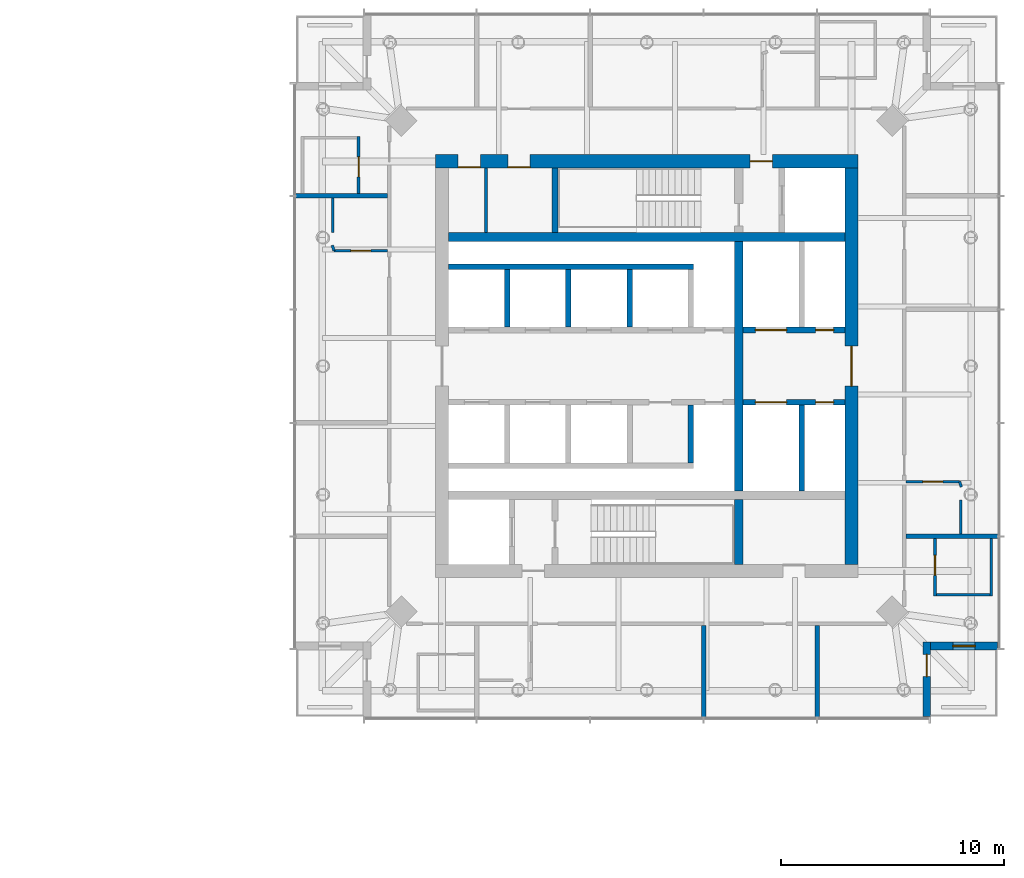
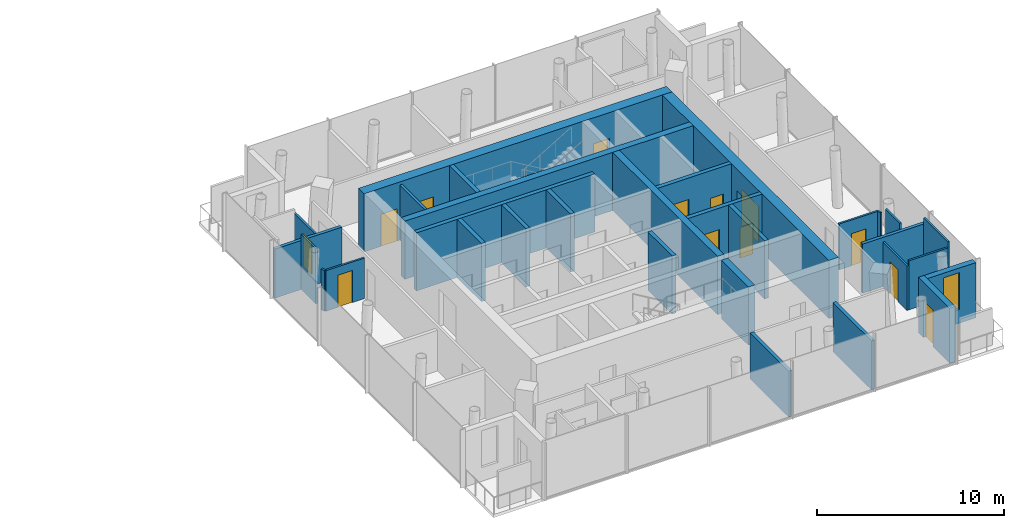
# One storey, part 14 of 18: 31 walls, 13 doors, 1 window, 14 openings.
"""IFC4 building model written with IfcOpenShell, lengths in metres."""

from ifc_helpers import new_model, si_unit, direction, frame, frame_2d, origin, place, context, subcontext, project, spatial, rectangle, extrude, material, layer, layer_set, type_object, element, fill, save


model = new_model("IFC4")

# Units and contexts
model_context = context("Model", 3, precision=1e-05, world=origin(), true_north=direction((0.0, 1.0)))
body_context = subcontext(model_context, "Body", "Model", "MODEL_VIEW")
ifc_project = project(units=[si_unit("LENGTHUNIT", "METRE"), si_unit("AREAUNIT", "SQUARE_METRE"), si_unit("VOLUMEUNIT", "CUBIC_METRE"), si_unit("PLANEANGLEUNIT", "RADIAN"), si_unit("MASSUNIT", "GRAM", prefix="KILO")], contexts=[model_context])

# Site, building, storey
site_placement = place(None, origin())
site = spatial("IfcSite", under=ifc_project, at=site_placement, CompositionType="ELEMENT")
building_placement = place(site_placement, origin())
building = spatial("IfcBuilding", under=site, at=building_placement, Name="Ostroluk Exchange", CompositionType="ELEMENT")
storey_placement = place(building_placement, frame((0.0, 0.0, 123.60009765625)))
storey = spatial("IfcBuildingStorey", under=building, at=storey_placement, Name="L31", CompositionType="ELEMENT", Elevation=123.60009765625)

# Walls
ifc_material_1 = material(Name="Concrete blockwork", Category="masonry")
ifc_layer_1 = layer(ifc_material_1, 0.14990234375)
ifc_layer_set_1 = layer_set([ifc_layer_1], Name="Blockwork plant room wall 150")
wall_type_1 = type_object("IfcWallType", Name="Blockwork plant room wall 150", PredefinedType="SOLIDWALL", material=ifc_layer_set_1)
wall_1_placement = place(storey_placement, frame((109.77392578125, 52.0, 0.0), z_axis=(0.0, 0.0, 1.0), x_axis=(0.0, 1.0, 0.0)))
element("IfcWall", 1, at=wall_1_placement, inside=storey, type_object=wall_type_1, Name="Core room wall", PredefinedType="SOLIDWALL", context=body_context, shape_type="SweptSolid", body=[
    extrude(rectangle(XDim=2.89990234375, YDim=0.14990234375, at=frame_2d((1.449951171875, 0.0))), origin(), (0.0, 0.0, 1.0), 3.599853515625),
])
ifc_material_2 = material(Name="Concrete C50/60", Category="concrete")
ifc_layer_2 = layer(ifc_material_2, 0.39990234375)
ifc_layer_set_2 = layer_set([ifc_layer_2], Name="Core cross wall 400 C50/60")
wall_type_2 = type_object("IfcWallType", Name="Core cross wall 400 C50/60", PredefinedType="SHEAR", material=ifc_layer_set_2)
wall_2_placement = place(storey_placement, frame((108.10009765625, 51.800048828125, 0.0), z_axis=(0.0, 0.0, 1.0), x_axis=(1.0, 0.0, 0.0)))
element("IfcWall", 2, at=wall_2_placement, inside=storey, type_object=wall_type_2, Name="T2 core wall XN", PredefinedType="SHEAR", context=body_context, shape_type="SweptSolid", body=[
    extrude(rectangle(XDim=17.7998046875, YDim=0.39990234375, at=frame_2d((8.89990234375, 0.0))), origin(), (0.0, 0.0, 1.0), 3.7998046875),
])
wall_3_placement = place(storey_placement, frame((121.1298828125, 37.10009765625, 0.0), z_axis=(0.0, 0.0, 1.0), x_axis=(0.0, 1.0, 0.0)))
element("IfcWall", 3, at=wall_3_placement, inside=storey, type_object=wall_type_2, Name="T2 core wall YE1", PredefinedType="SHEAR", context=body_context, shape_type="SweptSolid", body=[
    extrude(rectangle(XDim=2.89990234375, YDim=0.39990234375, at=frame_2d((1.449951171875, 0.0))), origin(), (0.0, 0.0, 1.0), 3.7998046875),
])
wall_4_placement = place(storey_placement, frame((121.1298828125, 40.39990234375, 0.0), z_axis=(0.0, 0.0, 1.0), x_axis=(0.0, 1.0, 0.0)))
element("IfcWall", 4, at=wall_4_placement, inside=storey, type_object=wall_type_2, Name="T2 core wall YE2", PredefinedType="SHEAR", context=body_context, shape_type="SweptSolid", body=[
    extrude(rectangle(XDim=11.2001953125, YDim=0.39990234375, at=frame_2d((5.60009765625, 0.0))), origin(), (0.0, 0.0, 1.0), 3.7998046875),
])
ifc_material_3 = material(Name="Concrete C40/50", Category="concrete")
ifc_layer_3 = layer(ifc_material_3, 0.25)
ifc_layer_set_3 = layer_set([ifc_layer_3], Name="Core shaft wall 250")
wall_type_3 = type_object("IfcWallType", Name="Core shaft wall 250", PredefinedType="SHEAR", material=ifc_layer_set_3)
wall_5_placement = place(storey_placement, frame((112.875, 52.0, 0.0), z_axis=(0.0, 0.0, 1.0), x_axis=(0.0, 1.0, 0.0)))
element("IfcWall", 5, at=wall_5_placement, inside=storey, type_object=wall_type_3, Name="Stair shaft wall", PredefinedType="SHEAR", context=body_context, shape_type="SweptSolid", body=[
    extrude(rectangle(XDim=2.89990234375, YDim=0.25, at=frame_2d((1.449951171875, 0.0))), origin(), (0.0, 0.0, 1.0), 3.7998046875),
])
for number, where, z_axis, x_axis, name in (
    (6, (110.72509765625, 47.75, 0.0), (0.0, 0.0, 1.0), (0.0, 1.0, 0.0), "Lift shaft wall"),
    (7, (113.47509765625, 47.75, 0.0), (0.0, 0.0, 1.0), (0.0, 1.0, 0.0), "Lift shaft wall"),
    (8, (116.22509765625, 47.75, 0.0), (0.0, 0.0, 1.0), (0.0, 1.0, 0.0), "Lift shaft wall"),
):
    element("IfcWall", number, at=place(storey_placement, frame(where, z_axis=z_axis, x_axis=x_axis)), inside=storey, type_object=wall_type_3, Name=name, PredefinedType="SHEAR", context=body_context, shape_type="SweptSolid", body=[
        extrude(rectangle(XDim=2.60009765625, YDim=0.25, at=frame_2d((1.300048828125, 0.0))), origin(), (0.0, 0.0, 1.0), 3.7998046875),
    ])
wall_6_placement = place(storey_placement, frame((108.10009765625, 50.47509765625, 0.0), z_axis=(0.0, 0.0, 1.0), x_axis=(1.0, 0.0, 0.0)))
element("IfcWall", 9, at=wall_6_placement, inside=storey, type_object=wall_type_3, Name="Lift shaft wall", PredefinedType="SHEAR", context=body_context, shape_type="SweptSolid", body=[
    extrude(rectangle(XDim=11.0, YDim=0.25, at=frame_2d((5.5, 0.0))), origin(), (0.0, 0.0, 1.0), 3.7998046875),
])
wall_7_placement = place(storey_placement, frame((118.97509765625, 44.25, 0.0), z_axis=(0.0, 0.0, 1.0), x_axis=(0.0, -1.0, 0.0)))
element("IfcWall", 10, at=wall_7_placement, inside=storey, type_object=wall_type_3, Name="Lift shaft wall", PredefinedType="SHEAR", context=body_context, shape_type="SweptSolid", body=[
    extrude(rectangle(XDim=2.60009765625, YDim=0.25, at=frame_2d((1.300048828125, 0.0))), origin(), (0.0, 0.0, 1.0), 3.7998046875),
])

# Wall, openings, doors
wall_8_placement = place(storey_placement, frame((121.330078125, 47.625, 0.0), z_axis=(0.0, 0.0, 1.0), x_axis=(1.0, 0.0, 0.0)))
wall_8 = element("IfcWall", 11, at=wall_8_placement, inside=storey, type_object=wall_type_3, Name="Lift shaft front wall", PredefinedType="SHEAR", context=body_context, shape_type="SweptSolid", body=[
    extrude(rectangle(XDim=4.56982421875, YDim=0.25, at=frame_2d((2.284912109375, 0.0))), origin(), (0.0, 0.0, 1.0), 3.7998046875),
])
opening_1_placement = place(wall_8_placement, frame((0.550048828125, 0.0, 0.0)))
opening_1 = element("IfcOpeningElement", 12, at=opening_1_placement, cuts=wall_8, Name="Opening LD3", PredefinedType="OPENING", context=body_context, shape_type="SweptSolid", body=[
    extrude(rectangle(XDim=1.39990234375, YDim=2.39990234375, at=frame_2d((0.699951171875, 1.199951171875))), frame((0.0, 0.135009765625, 0.0), z_axis=(0.0, -1.0, 0.0), x_axis=(1.0, 0.0, 0.0)), (0.0, 0.0, 1.0), 0.27001953125),
])
opening_2_placement = place(wall_8_placement, frame((3.260009765625, 0.0, 0.0)))
opening_2 = element("IfcOpeningElement", 13, at=opening_2_placement, cuts=wall_8, Name="Opening RD60", PredefinedType="OPENING", context=body_context, shape_type="SweptSolid", body=[
    extrude(rectangle(XDim=0.800048828125, YDim=2.0, at=frame_2d((0.39990234375, 1.0))), frame((0.0, 0.135009765625, 0.0), z_axis=(0.0, -1.0, 0.0), x_axis=(1.0, 0.0, 0.0)), (0.0, 0.0, 1.0), 0.27001953125),
])
ifc_material_4 = material(Name="Stainless steel", Category="steel")
door_type_1 = type_object("IfcDoorType", Name="Goods lift landing door E 60 1400 x 2400", OperationType="DOUBLE_DOOR_SLIDING", PredefinedType="DOOR", material=ifc_material_4)
door_1_placement = place(opening_1_placement, origin())
door_1 = element("IfcDoor", 14, at=door_1_placement, inside=storey, type_object=door_type_1, Name="Lift HS1 landing door", OperationType="DOUBLE_DOOR_SLIDING", OverallHeight=2.39990234375, OverallWidth=1.39990234375, PredefinedType="DOOR", context=body_context, shape_type="SweptSolid", body=[
    extrude(rectangle(XDim=1.39990234375, YDim=2.39990234375, at=frame_2d((0.699951171875, 1.199951171875))), frame((0.0, 0.02490234375, 0.0), z_axis=(0.0, -1.0, 0.0), x_axis=(1.0, 0.0, 0.0)), (0.0, 0.0, 1.0), 0.050048828125),
])
fill(opening_1, door_1)
ifc_material_5 = material(Name="Steel", Category="steel")
door_type_2 = type_object("IfcDoorType", Name="Riser access door EI 60 800 x 2000", OperationType="SINGLE_SWING_LEFT", PredefinedType="DOOR", material=ifc_material_5)
door_2_placement = place(opening_2_placement, origin())
door_2 = element("IfcDoor", 15, at=door_2_placement, inside=storey, type_object=door_type_2, Name="Riser access door", OperationType="SINGLE_SWING_RIGHT", OverallHeight=2.0, OverallWidth=0.800048828125, PredefinedType="DOOR", context=body_context, shape_type="SweptSolid", body=[
    extrude(rectangle(XDim=0.800048828125, YDim=2.0, at=frame_2d((0.39990234375, 1.0))), frame((0.0, 0.02490234375, 0.0), z_axis=(0.0, -1.0, 0.0), x_axis=(1.0, 0.0, 0.0)), (0.0, 0.0, 1.0), 0.050048828125),
])
fill(opening_2, door_2)

# Wall
wall_9_placement = place(storey_placement, frame((123.955078125, 44.25, 0.0), z_axis=(0.0, 0.0, 1.0), x_axis=(0.0, -1.0, 0.0)))
element("IfcWall", 16, at=wall_9_placement, inside=storey, type_object=wall_type_3, Name="Lift shaft wall", PredefinedType="SHEAR", context=body_context, shape_type="SweptSolid", body=[
    extrude(rectangle(XDim=3.85009765625, YDim=0.25, at=frame_2d((1.925048828125, 0.0))), origin(), (0.0, 0.0, 1.0), 3.7998046875),
])

# Wall, openings, doors
wall_10_placement = place(storey_placement, frame((121.330078125, 44.375, 0.0), z_axis=(0.0, 0.0, 1.0), x_axis=(1.0, 0.0, 0.0)))
wall_10 = element("IfcWall", 17, at=wall_10_placement, inside=storey, type_object=wall_type_3, Name="Lift shaft front wall", PredefinedType="SHEAR", context=body_context, shape_type="SweptSolid", body=[
    extrude(rectangle(XDim=4.56982421875, YDim=0.25, at=frame_2d((2.284912109375, 0.0))), origin(), (0.0, 0.0, 1.0), 3.7998046875),
])
opening_3_placement = place(wall_10_placement, frame((0.550048828125, 0.0, 0.0)))
opening_3 = element("IfcOpeningElement", 18, at=opening_3_placement, cuts=wall_10, Name="Opening LD3", PredefinedType="OPENING", context=body_context, shape_type="SweptSolid", body=[
    extrude(rectangle(XDim=1.39990234375, YDim=2.39990234375, at=frame_2d((0.699951171875, 1.199951171875))), frame((0.0, 0.135009765625, 0.0), z_axis=(0.0, -1.0, 0.0), x_axis=(1.0, 0.0, 0.0)), (0.0, 0.0, 1.0), 0.27001953125),
])
opening_4_placement = place(wall_10_placement, frame((3.260009765625, 0.0, 0.0)))
opening_4 = element("IfcOpeningElement", 19, at=opening_4_placement, cuts=wall_10, Name="Opening RD60", PredefinedType="OPENING", context=body_context, shape_type="SweptSolid", body=[
    extrude(rectangle(XDim=0.800048828125, YDim=2.0, at=frame_2d((0.39990234375, 1.0))), frame((0.0, 0.135009765625, 0.0), z_axis=(0.0, -1.0, 0.0), x_axis=(1.0, 0.0, 0.0)), (0.0, 0.0, 1.0), 0.27001953125),
])
door_3_placement = place(opening_3_placement, origin())
door_3 = element("IfcDoor", 20, at=door_3_placement, inside=storey, type_object=door_type_1, Name="Lift HS2 landing door", OperationType="DOUBLE_DOOR_SLIDING", OverallHeight=2.39990234375, OverallWidth=1.39990234375, PredefinedType="DOOR", context=body_context, shape_type="SweptSolid", body=[
    extrude(rectangle(XDim=1.39990234375, YDim=2.39990234375, at=frame_2d((0.699951171875, 1.199951171875))), frame((0.0, 0.02490234375, 0.0), z_axis=(0.0, -1.0, 0.0), x_axis=(1.0, 0.0, 0.0)), (0.0, 0.0, 1.0), 0.050048828125),
])
fill(opening_3, door_3)
door_4_placement = place(opening_4_placement, origin())
door_4 = element("IfcDoor", 21, at=door_4_placement, inside=storey, type_object=door_type_2, Name="Riser access door", OperationType="SINGLE_SWING_RIGHT", OverallHeight=2.0, OverallWidth=0.800048828125, PredefinedType="DOOR", context=body_context, shape_type="SweptSolid", body=[
    extrude(rectangle(XDim=0.800048828125, YDim=2.0, at=frame_2d((0.39990234375, 1.0))), frame((0.0, 0.02490234375, 0.0), z_axis=(0.0, -1.0, 0.0), x_axis=(1.0, 0.0, 0.0)), (0.0, 0.0, 1.0), 0.050048828125),
])
fill(opening_4, door_4)

ifc_material_6 = material(Name="Concrete C50/60", Category="concrete")
ifc_layer_4 = layer(ifc_material_6, 0.60009765625)
ifc_layer_set_4 = layer_set([ifc_layer_4], Name="Core wall 600 C50/60")
wall_type_4 = type_object("IfcWallType", Name="Core wall 600 C50/60", PredefinedType="SHEAR", material=ifc_layer_set_4)
wall_11_placement = place(storey_placement, frame((107.5, 55.199951171875, 0.0), z_axis=(0.0, 0.0, 1.0), x_axis=(1.0, 0.0, 0.0)))
wall_11 = element("IfcWall", 22, at=wall_11_placement, inside=storey, type_object=wall_type_4, Name="T2 core wall N", PredefinedType="SHEAR", context=body_context, shape_type="SweptSolid", body=[
    extrude(rectangle(XDim=19.0, YDim=0.60009765625, at=frame_2d((9.5, 0.0))), origin(), (0.0, 0.0, 1.0), 3.7998046875),
])
opening_5_placement = place(wall_11_placement, frame((14.139892578125, 0.0, 0.0)))
opening_5 = element("IfcOpeningElement", 23, at=opening_5_placement, cuts=wall_11, Name="Opening FD60", PredefinedType="OPENING", context=body_context, shape_type="SweptSolid", body=[
    extrude(rectangle(XDim=1.0, YDim=2.10009765625, at=frame_2d((0.5, 1.050048828125))), frame((0.0, 0.31005859375, 0.0), z_axis=(0.0, -1.0, 0.0), x_axis=(1.0, 0.0, 0.0)), (0.0, 0.0, 1.0), 0.6201171875),
])
opening_6_placement = place(wall_11_placement, frame((1.02392578125, 0.0, 0.0)))
opening_6 = element("IfcOpeningElement", 24, at=opening_6_placement, cuts=wall_11, Name="Opening FD60", PredefinedType="OPENING", context=body_context, shape_type="SweptSolid", body=[
    extrude(rectangle(XDim=1.0, YDim=2.10009765625, at=frame_2d((0.5, 1.050048828125))), frame((0.0, 0.31005859375, 0.0), z_axis=(0.0, -1.0, 0.0), x_axis=(1.0, 0.0, 0.0)), (0.0, 0.0, 1.0), 0.6201171875),
])
opening_7_placement = place(wall_11_placement, frame((3.261962890625, 0.0, 0.0)))
opening_7 = element("IfcOpeningElement", 25, at=opening_7_placement, cuts=wall_11, Name="Opening FD60", PredefinedType="OPENING", context=body_context, shape_type="SweptSolid", body=[
    extrude(rectangle(XDim=1.0, YDim=2.10009765625, at=frame_2d((0.5, 1.050048828125))), frame((0.0, 0.31005859375, 0.0), z_axis=(0.0, -1.0, 0.0), x_axis=(1.0, 0.0, 0.0)), (0.0, 0.0, 1.0), 0.6201171875),
])
ifc_material_7 = material(Name="Steel", Category="steel")
door_type_3 = type_object("IfcDoorType", Name="Fire door EI 60 1000 x 2100", OperationType="SINGLE_SWING_LEFT", PredefinedType="DOOR", material=ifc_material_7)
door_5_placement = place(opening_5_placement, origin())
door_5 = element("IfcDoor", 26, at=door_5_placement, inside=storey, type_object=door_type_3, Name="Firefighting lobby door", OperationType="SINGLE_SWING_RIGHT", OverallHeight=2.10009765625, OverallWidth=1.0, PredefinedType="DOOR", context=body_context, shape_type="SweptSolid", body=[
    extrude(rectangle(XDim=1.0, YDim=2.10009765625, at=frame_2d((0.5, 1.050048828125))), frame((0.0, 0.02490234375, 0.0), z_axis=(0.0, -1.0, 0.0), x_axis=(1.0, 0.0, 0.0)), (0.0, 0.0, 1.0), 0.050048828125),
])
fill(opening_5, door_5)
door_6_placement = place(opening_6_placement, origin())
door_6 = element("IfcDoor", 27, at=door_6_placement, inside=storey, type_object=door_type_3, Name="Housekeeping store door", OperationType="SINGLE_SWING_LEFT", OverallHeight=2.10009765625, OverallWidth=1.0, PredefinedType="DOOR", context=body_context, shape_type="SweptSolid", body=[
    extrude(rectangle(XDim=1.0, YDim=2.10009765625, at=frame_2d((0.5, 1.050048828125))), frame((0.0, -0.23974609375, 0.0), z_axis=(0.0, -1.0, 0.0), x_axis=(1.0, 0.0, 0.0)), (0.0, 0.0, 1.0), 0.050048828125),
])
fill(opening_6, door_6)
door_7_placement = place(opening_7_placement, origin())
door_7 = element("IfcDoor", 28, at=door_7_placement, inside=storey, type_object=door_type_3, Name="Guest pantry door", OperationType="SINGLE_SWING_LEFT", OverallHeight=2.10009765625, OverallWidth=1.0, PredefinedType="DOOR", context=body_context, shape_type="SweptSolid", body=[
    extrude(rectangle(XDim=1.0, YDim=2.10009765625, at=frame_2d((0.5, 1.050048828125))), frame((0.0, -0.23974609375, 0.0), z_axis=(0.0, -1.0, 0.0), x_axis=(1.0, 0.0, 0.0)), (0.0, 0.0, 1.0), 0.050048828125),
])
fill(opening_7, door_7)

# Wall, opening, door
wall_12_placement = place(storey_placement, frame((126.199951171875, 37.10009765625, 0.0), z_axis=(0.0, 0.0, 1.0), x_axis=(0.0, 1.0, 0.0)))
wall_12 = element("IfcWall", 29, at=wall_12_placement, inside=storey, type_object=wall_type_4, Name="T2 core wall E", PredefinedType="SHEAR", context=body_context, shape_type="SweptSolid", body=[
    extrude(rectangle(XDim=17.7998046875, YDim=0.60009765625, at=frame_2d((8.89990234375, 0.0))), origin(), (0.0, 0.0, 1.0), 3.7998046875),
])
opening_8_placement = place(wall_12_placement, frame((8.0, 0.0, 0.0)))
opening_8 = element("IfcOpeningElement", 30, at=opening_8_placement, cuts=wall_12, Name="Opening FD30D", PredefinedType="OPENING", context=body_context, shape_type="SweptSolid", body=[
    extrude(rectangle(XDim=1.800048828125, YDim=2.39990234375, at=frame_2d((0.89990234375, 1.199951171875))), frame((0.0, 0.31005859375, 0.0), z_axis=(0.0, -1.0, 0.0), x_axis=(1.0, 0.0, 0.0)), (0.0, 0.0, 1.0), 0.6201171875),
])
ifc_material_8 = material(Name="Timber", Category="wood")
door_type_4 = type_object("IfcDoorType", Name="Lobby double door EI 30 1800 x 2400", OperationType="DOUBLE_DOOR_SINGLE_SWING", PredefinedType="DOOR", material=ifc_material_8)
door_8_placement = place(opening_8_placement, origin())
door_8 = element("IfcDoor", 31, at=door_8_placement, inside=storey, type_object=door_type_4, Name="Lift lobby doors", OperationType="DOUBLE_DOOR_SINGLE_SWING", OverallHeight=2.39990234375, OverallWidth=1.800048828125, PredefinedType="DOOR", context=body_context, shape_type="SweptSolid", body=[
    extrude(rectangle(XDim=1.800048828125, YDim=2.39990234375, at=frame_2d((0.89990234375, 1.199951171875))), frame((0.0, 0.02490234375, 0.0), z_axis=(0.0, -1.0, 0.0), x_axis=(1.0, 0.0, 0.0)), (0.0, 0.0, 1.0), 0.050048828125),
])
fill(opening_8, door_8)

ifc_material_9 = material(Name="Limestone", Category="masonry")
ifc_layer_5 = layer(ifc_material_9, 0.35009765625)
ifc_layer_set_5 = layer_set([ifc_layer_5], Name="Limestone facade wall 350")
wall_type_5 = type_object("IfcWallType", Name="Limestone facade wall 350", PredefinedType="SOLIDWALL", material=ifc_layer_set_5)
wall_13_placement = place(storey_placement, frame((129.574951171875, 30.25, 0.0), z_axis=(0.0, 0.0, 1.0), x_axis=(0.0, 1.0, 0.0)))
wall_13 = element("IfcWall", 32, at=wall_13_placement, inside=storey, type_object=wall_type_5, Name="Hotel tower SE corner wall L31 a", PredefinedType="SOLIDWALL", context=body_context, shape_type="SweptSolid", body=[
    extrude(rectangle(XDim=3.35009765625, YDim=0.35009765625, at=frame_2d((1.675048828125, 0.0))), origin(), (0.0, 0.0, 1.0), 3.599853515625),
])
opening_9_placement = place(wall_13_placement, frame((1.800048828125, 0.0, 0.0)))
opening_9 = element("IfcOpeningElement", 33, at=opening_9_placement, cuts=wall_13, Name="Opening D-B1", PredefinedType="OPENING", context=body_context, shape_type="SweptSolid", body=[
    extrude(rectangle(XDim=1.0, YDim=2.39990234375, at=frame_2d((0.5, 1.199951171875))), frame((0.0, 0.18505859375, 0.0), z_axis=(0.0, -1.0, 0.0), x_axis=(1.0, 0.0, 0.0)), (0.0, 0.0, 1.0), 0.3701171875),
])
ifc_material_10 = material(Name="Bronze framed glazed door", Category="aluminium")
door_type_5 = type_object("IfcDoorType", Name="Balcony door 1000 x 2400", OperationType="SINGLE_SWING_LEFT", PredefinedType="DOOR", material=ifc_material_10)
door_9_placement = place(opening_9_placement, origin())
door_9 = element("IfcDoor", 34, at=door_9_placement, inside=storey, type_object=door_type_5, Name="Hotel tower SE balcony door L31", OperationType="SINGLE_SWING_RIGHT", OverallHeight=2.39990234375, OverallWidth=1.0, PredefinedType="DOOR", context=body_context, shape_type="SweptSolid", body=[
    extrude(rectangle(XDim=1.0, YDim=2.39990234375, at=frame_2d((0.5, 1.199951171875))), frame((0.0, 0.02490234375, 0.0), z_axis=(0.0, -1.0, 0.0), x_axis=(1.0, 0.0, 0.0)), (0.0, 0.0, 1.0), 0.050048828125),
])
fill(opening_9, door_9)

# Wall, opening, window
wall_14_placement = place(storey_placement, frame((129.75, 33.425048828125, 0.0), z_axis=(0.0, 0.0, 1.0), x_axis=(1.0, 0.0, 0.0)))
wall_14 = element("IfcWall", 35, at=wall_14_placement, inside=storey, type_object=wall_type_5, Name="Hotel tower SE corner wall L31 b", PredefinedType="SOLIDWALL", context=body_context, shape_type="SweptSolid", body=[
    extrude(rectangle(XDim=3.0, YDim=0.35009765625, at=frame_2d((1.5, 0.0))), origin(), (0.0, 0.0, 1.0), 3.599853515625),
])
opening_10_placement = place(wall_14_placement, frame((1.0, 0.0, 0.89990234375)))
opening_10 = element("IfcOpeningElement", 36, at=opening_10_placement, cuts=wall_14, Name="Opening WN-L3", PredefinedType="OPENING", context=body_context, shape_type="SweptSolid", body=[
    extrude(rectangle(XDim=1.0, YDim=2.39990234375, at=frame_2d((0.5, 1.199951171875))), frame((0.0, 0.18505859375, 0.0), z_axis=(0.0, -1.0, 0.0), x_axis=(1.0, 0.0, 0.0)), (0.0, 0.0, 1.0), 0.3701171875),
])
ifc_material_11 = material(Name="Laminated clear glass", Category="glass")
window_type = type_object("IfcWindowType", Name="Hotel lancet window 1000 x 2400", PartitioningType="SINGLE_PANEL", PredefinedType="WINDOW", material=ifc_material_11)
window_placement = place(opening_10_placement, origin())
window = element("IfcWindow", 37, at=window_placement, inside=storey, type_object=window_type, Name="Hotel tower SE lancet window L31", OverallHeight=2.39990234375, OverallWidth=1.0, PartitioningType="SINGLE_PANEL", PredefinedType="WINDOW", context=body_context, shape_type="SweptSolid", body=[
    extrude(rectangle(XDim=1.0, YDim=2.39990234375, at=frame_2d((0.5, 1.199951171875))), frame((0.0, 0.030029296875, 0.0), z_axis=(0.0, -1.0, 0.0), x_axis=(1.0, 0.0, 0.0)), (0.0, 0.0, 1.0), 0.06005859375),
])
fill(opening_10, window)

# Wall, opening, door
ifc_material_12 = material(Name="Gypsum plasterboard partition, moisture resistant", Category="gypsum")
ifc_layer_6 = layer(ifc_material_12, 0.1201171875)
ifc_layer_set_6 = layer_set([ifc_layer_6], Name="Plasterboard en-suite wall 120")
wall_type_6 = type_object("IfcWallType", Name="Plasterboard en-suite wall 120", PredefinedType="PARTITIONING", material=ifc_layer_set_6)
wall_15_placement = place(storey_placement, frame((129.949951171875, 38.25, 0.0), z_axis=(0.0, 0.0, 1.0), x_axis=(0.0, -1.0, 0.0)))
wall_15 = element("IfcWall", 38, at=wall_15_placement, inside=storey, type_object=wall_type_6, Name="En-suite wall", PredefinedType="PARTITIONING", context=body_context, shape_type="SweptSolid", body=[
    extrude(rectangle(XDim=2.580078125, YDim=0.1201171875, at=frame_2d((1.2900390625, 0.0))), origin(), (0.0, 0.0, 1.0), 2.89990234375),
])
opening_11_placement = place(wall_15_placement, frame((0.75, 0.0, 0.0)))
opening_11 = element("IfcOpeningElement", 39, at=opening_11_placement, cuts=wall_15, Name="Opening D-02", PredefinedType="OPENING", context=body_context, shape_type="SweptSolid", body=[
    extrude(rectangle(XDim=0.89990234375, YDim=2.10009765625, at=frame_2d((0.449951171875, 1.050048828125))), frame((0.0, 0.070068359375, 0.0), z_axis=(0.0, -1.0, 0.0), x_axis=(1.0, 0.0, 0.0)), (0.0, 0.0, 1.0), 0.14013671875),
])
ifc_material_13 = material(Name="Timber", Category="wood")
door_type_6 = type_object("IfcDoorType", Name="En-suite door 900 x 2100", OperationType="SINGLE_SWING_LEFT", PredefinedType="DOOR", material=ifc_material_13)
door_10_placement = place(opening_11_placement, origin())
door_10 = element("IfcDoor", 40, at=door_10_placement, inside=storey, type_object=door_type_6, Name="En-suite door 3101", OperationType="SINGLE_SWING_LEFT", OverallHeight=2.10009765625, OverallWidth=0.89990234375, PredefinedType="DOOR", context=body_context, shape_type="SweptSolid", body=[
    extrude(rectangle(XDim=0.89990234375, YDim=2.10009765625, at=frame_2d((0.449951171875, 1.050048828125))), frame((0.0, 0.02490234375, 0.0), z_axis=(0.0, -1.0, 0.0), x_axis=(1.0, 0.0, 0.0)), (0.0, 0.0, 1.0), 0.050048828125),
])
fill(opening_11, door_10)

# Walls
wall_16_placement = place(storey_placement, frame((132.469970703125, 38.25, 0.0), z_axis=(0.0, 0.0, 1.0), x_axis=(0.0, -1.0, 0.0)))
element("IfcWall", 41, at=wall_16_placement, inside=storey, type_object=wall_type_6, Name="En-suite wall", PredefinedType="PARTITIONING", context=body_context, shape_type="SweptSolid", body=[
    extrude(rectangle(XDim=2.580078125, YDim=0.1201171875, at=frame_2d((1.2900390625, 0.0))), origin(), (0.0, 0.0, 1.0), 3.599853515625),
])
wall_17_placement = place(storey_placement, frame((130.010009765625, 35.72998046875, 0.0), z_axis=(0.0, 0.0, 1.0), x_axis=(1.0, 0.0, 0.0)))
element("IfcWall", 42, at=wall_17_placement, inside=storey, type_object=wall_type_6, Name="En-suite wall", PredefinedType="PARTITIONING", context=body_context, shape_type="SweptSolid", body=[
    extrude(rectangle(XDim=2.39990234375, YDim=0.1201171875, at=frame_2d((1.199951171875, 0.0))), origin(), (0.0, 0.0, 1.0), 3.199951171875),
])
wall_18_placement = place(storey_placement, frame((131.110107421875, 38.449951171875, 0.0), z_axis=(0.0, 0.0, 1.0), x_axis=(0.0, 1.0, 0.0)))
element("IfcWall", 43, at=wall_18_placement, inside=storey, type_object=wall_type_6, Name="En-suite wall", PredefinedType="PARTITIONING", context=body_context, shape_type="SweptSolid", body=[
    extrude(rectangle(XDim=1.5458984375, YDim=0.1201171875, at=frame_2d((0.77294921875, 0.0))), origin(), (0.0, 0.0, 1.0), 3.599853515625),
])

# Wall, opening, door
wall_19_placement = place(storey_placement, frame((128.64990234375, 40.81005859375, 0.0), z_axis=(0.0, 0.0, 1.0), x_axis=(1.0, 0.0, 0.0)))
wall_19 = element("IfcWall", 44, at=wall_19_placement, inside=storey, type_object=wall_type_6, Name="En-suite wall", PredefinedType="PARTITIONING", context=body_context, shape_type="SweptSolid", body=[
    extrude(rectangle(XDim=2.400146484375, YDim=0.1201171875, at=frame_2d((1.2001953125, 0.0))), origin(), (0.0, 0.0, 1.0), 3.0),
])
opening_12_placement = place(wall_19_placement, frame((0.75, 0.0, 0.0)))
opening_12 = element("IfcOpeningElement", 45, at=opening_12_placement, cuts=wall_19, Name="Opening D-02", PredefinedType="OPENING", context=body_context, shape_type="SweptSolid", body=[
    extrude(rectangle(XDim=0.89990234375, YDim=2.10009765625, at=frame_2d((0.449951171875, 1.050048828125))), frame((0.0, 0.070068359375, 0.0), z_axis=(0.0, -1.0, 0.0), x_axis=(1.0, 0.0, 0.0)), (0.0, 0.0, 1.0), 0.14013671875),
])
door_11_placement = place(opening_12_placement, origin())
door_11 = element("IfcDoor", 46, at=door_11_placement, inside=storey, type_object=door_type_6, Name="En-suite door 3102", OperationType="SINGLE_SWING_LEFT", OverallHeight=2.10009765625, OverallWidth=0.89990234375, PredefinedType="DOOR", context=body_context, shape_type="SweptSolid", body=[
    extrude(rectangle(XDim=0.89990234375, YDim=2.10009765625, at=frame_2d((0.449951171875, 1.050048828125))), frame((0.0, 0.02490234375, 0.0), z_axis=(0.0, -1.0, 0.0), x_axis=(1.0, 0.0, 0.0)), (0.0, 0.0, 1.0), 0.050048828125),
])
fill(opening_12, door_11)

wall_20_placement = place(storey_placement, frame((104.050048828125, 53.75, 0.0), z_axis=(0.0, 0.0, 1.0), x_axis=(0.0, 1.0, 0.0)))
wall_20 = element("IfcWall", 47, at=wall_20_placement, inside=storey, type_object=wall_type_6, Name="En-suite wall", PredefinedType="PARTITIONING", context=body_context, shape_type="SweptSolid", body=[
    extrude(rectangle(XDim=2.580078125, YDim=0.1201171875, at=frame_2d((1.2900390625, 0.0))), origin(), (0.0, 0.0, 1.0), 2.89990234375),
])
opening_13_placement = place(wall_20_placement, frame((0.75, 0.0, 0.0)))
opening_13 = element("IfcOpeningElement", 48, at=opening_13_placement, cuts=wall_20, Name="Opening D-02", PredefinedType="OPENING", context=body_context, shape_type="SweptSolid", body=[
    extrude(rectangle(XDim=0.89990234375, YDim=2.10009765625, at=frame_2d((0.449951171875, 1.050048828125))), frame((0.0, 0.070068359375, 0.0), z_axis=(0.0, -1.0, 0.0), x_axis=(1.0, 0.0, 0.0)), (0.0, 0.0, 1.0), 0.14013671875),
])
door_12_placement = place(opening_13_placement, origin())
door_12 = element("IfcDoor", 49, at=door_12_placement, inside=storey, type_object=door_type_6, Name="En-suite door 3105", OperationType="SINGLE_SWING_LEFT", OverallHeight=2.10009765625, OverallWidth=0.89990234375, PredefinedType="DOOR", context=body_context, shape_type="SweptSolid", body=[
    extrude(rectangle(XDim=0.89990234375, YDim=2.10009765625, at=frame_2d((0.449951171875, 1.050048828125))), frame((0.0, 0.02490234375, 0.0), z_axis=(0.0, -1.0, 0.0), x_axis=(1.0, 0.0, 0.0)), (0.0, 0.0, 1.0), 0.050048828125),
])
fill(opening_13, door_12)

# Wall
wall_21_placement = place(storey_placement, frame((102.889892578125, 53.550048828125, 0.0), z_axis=(0.0, 0.0, 1.0), x_axis=(0.0, -1.0, 0.0)))
element("IfcWall", 50, at=wall_21_placement, inside=storey, type_object=wall_type_6, Name="En-suite wall", PredefinedType="PARTITIONING", context=body_context, shape_type="SweptSolid", body=[
    extrude(rectangle(XDim=1.5458984375, YDim=0.1201171875, at=frame_2d((0.77294921875, 0.0))), origin(), (0.0, 0.0, 1.0), 3.599853515625),
])

# Wall, opening, door
wall_22_placement = place(storey_placement, frame((105.35009765625, 51.18994140625, 0.0), z_axis=(0.0, 0.0, 1.0), x_axis=(-1.0, 0.0, 0.0)))
wall_22 = element("IfcWall", 51, at=wall_22_placement, inside=storey, type_object=wall_type_6, Name="En-suite wall", PredefinedType="PARTITIONING", context=body_context, shape_type="SweptSolid", body=[
    extrude(rectangle(XDim=2.400146484375, YDim=0.1201171875, at=frame_2d((1.2001953125, 0.0))), origin(), (0.0, 0.0, 1.0), 2.64990234375),
])
opening_14_placement = place(wall_22_placement, frame((0.75, 0.0, 0.0)))
opening_14 = element("IfcOpeningElement", 52, at=opening_14_placement, cuts=wall_22, Name="Opening D-02", PredefinedType="OPENING", context=body_context, shape_type="SweptSolid", body=[
    extrude(rectangle(XDim=0.89990234375, YDim=2.10009765625, at=frame_2d((0.449951171875, 1.050048828125))), frame((0.0, 0.070068359375, 0.0), z_axis=(0.0, -1.0, 0.0), x_axis=(1.0, 0.0, 0.0)), (0.0, 0.0, 1.0), 0.14013671875),
])
door_13_placement = place(opening_14_placement, origin())
door_13 = element("IfcDoor", 53, at=door_13_placement, inside=storey, type_object=door_type_6, Name="En-suite door 3106", OperationType="SINGLE_SWING_RIGHT", OverallHeight=2.10009765625, OverallWidth=0.89990234375, PredefinedType="DOOR", context=body_context, shape_type="SweptSolid", body=[
    extrude(rectangle(XDim=0.89990234375, YDim=2.10009765625, at=frame_2d((0.449951171875, 1.050048828125))), frame((0.0, 0.02490234375, 0.0), z_axis=(0.0, -1.0, 0.0), x_axis=(1.0, 0.0, 0.0)), (0.0, 0.0, 1.0), 0.050048828125),
])
fill(opening_14, door_13)

# Walls
wall_23_placement = place(storey_placement, frame((131.050048828125, 40.81005859375, 0.0), z_axis=(0.0, 0.0, 1.0), x_axis=(0.33418781393, -0.942506501315, 0.0)))
element("IfcWall", 54, at=wall_23_placement, inside=storey, type_object=wall_type_6, Name="En-suite wall", PredefinedType="PARTITIONING", context=body_context, shape_type="SweptSolid", body=[
    extrude(rectangle(XDim=0.251953125, YDim=0.1201171875, at=frame_2d((0.1259765625, 0.0))), origin(), (0.0, 0.0, 1.0), 3.0),
])
wall_24_placement = place(storey_placement, frame((102.949951171875, 51.18994140625, 0.0), z_axis=(0.0, 0.0, 1.0), x_axis=(-0.33418781393, 0.942506501315, 0.0)))
element("IfcWall", 55, at=wall_24_placement, inside=storey, type_object=wall_type_6, Name="En-suite wall", PredefinedType="PARTITIONING", context=body_context, shape_type="SweptSolid", body=[
    extrude(rectangle(XDim=0.251953125, YDim=0.1201171875, at=frame_2d((0.1259765625, 0.0))), origin(), (0.0, 0.0, 1.0), 2.64990234375),
])
ifc_material_14 = material(Name="Gypsum plasterboard partition", Category="gypsum")
ifc_layer_7 = layer(ifc_material_14, 0.199951171875)
ifc_layer_set_7 = layer_set([ifc_layer_7], Name="Plasterboard party wall 200")
wall_type_7 = type_object("IfcWallType", Name="Plasterboard party wall 200", PredefinedType="PARTITIONING", material=ifc_layer_set_7)
for number, where, z_axis, x_axis, name in (
    (56, (128.64990234375, 38.35009765625, 0.0), (0.0, 0.0, 1.0), (1.0, 0.0, 0.0), "Party wall"),
    (57, (105.35009765625, 53.64990234375, 0.0), (0.0, 0.0, 1.0), (-1.0, 0.0, 0.0), "Party wall"),
):
    element("IfcWall", number, at=place(storey_placement, frame(where, z_axis=z_axis, x_axis=x_axis)), inside=storey, type_object=wall_type_7, Name=name, PredefinedType="PARTITIONING", context=body_context, shape_type="SweptSolid", body=[
        extrude(rectangle(XDim=4.14013671875, YDim=0.199951171875, at=frame_2d((2.070068359375, 0.0))), origin(), (0.0, 0.0, 1.0), 3.199951171875),
    ])
wall_25_placement = place(storey_placement, frame((119.550048828125, 34.35009765625, 0.0), z_axis=(0.0, 0.0, 1.0), x_axis=(0.0, -1.0, 0.0)))
element("IfcWall", 58, at=wall_25_placement, inside=storey, type_object=wall_type_7, Name="Party wall", PredefinedType="PARTITIONING", context=body_context, shape_type="SweptSolid", body=[
    extrude(rectangle(XDim=4.14013671875, YDim=0.199951171875, at=frame_2d((2.070068359375, 0.0))), origin(), (0.0, 0.0, 1.0), 3.0),
])
wall_26_placement = place(storey_placement, frame((124.64990234375, 34.35009765625, 0.0), z_axis=(0.0, 0.0, 1.0), x_axis=(0.0, -1.0, 0.0)))
element("IfcWall", 59, at=wall_26_placement, inside=storey, type_object=wall_type_7, Name="Party wall", PredefinedType="PARTITIONING", context=body_context, shape_type="SweptSolid", body=[
    extrude(rectangle(XDim=4.14013671875, YDim=0.199951171875, at=frame_2d((2.070068359375, 0.0))), origin(), (0.0, 0.0, 1.0), 3.199951171875),
])

save(model, "model.ifc")
